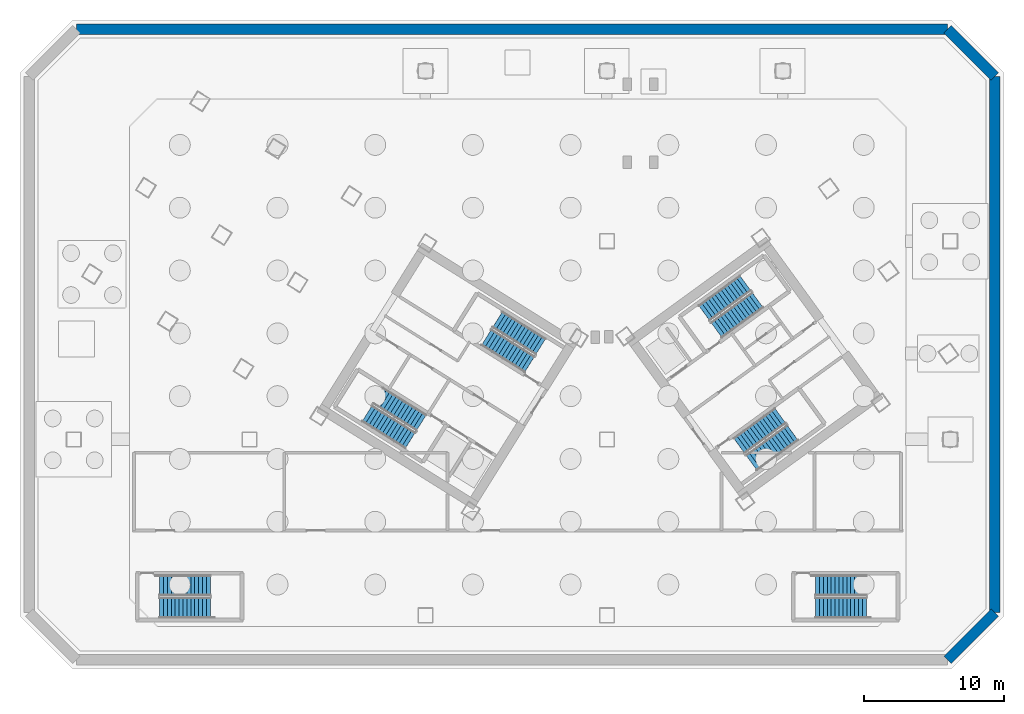
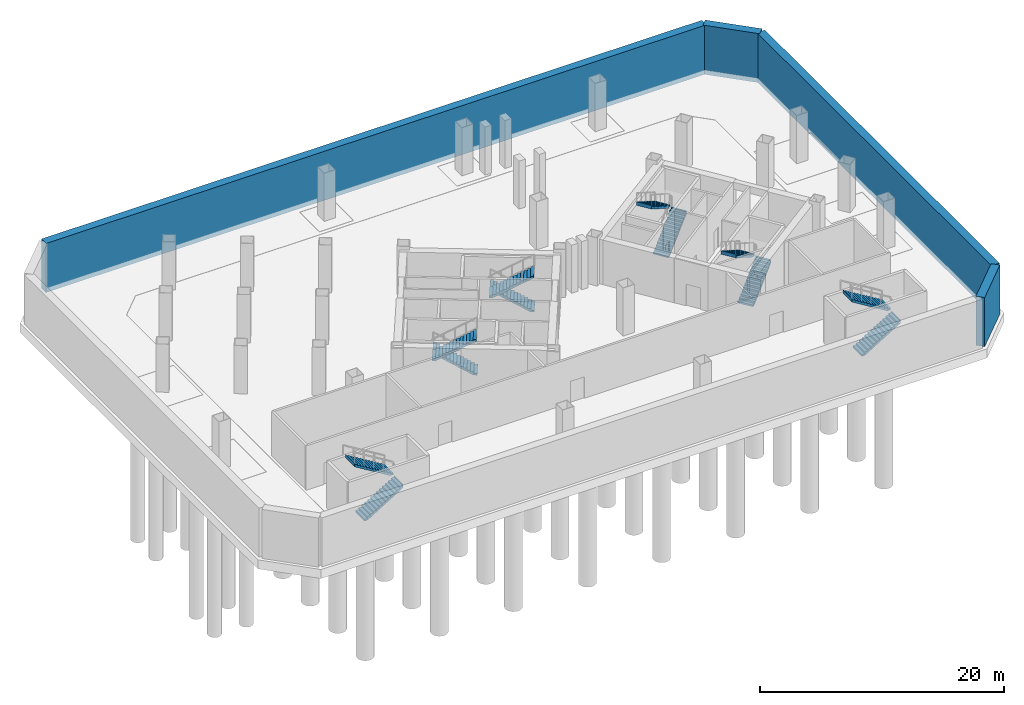
# One storey, part 7 of 11: 12 stair flights, 4 walls, 6 elements without a shape of their own.
"""IFC4 building model written with IfcOpenShell, lengths in metres."""

import ifcopenshell
import ifcopenshell.guid

model = None  # the IFC model being written
_history = None  # IfcOwnerHistory: only IFC2X3 demands one
_inside = {}  # id of a spatial element -> (the spatial element, [elements in it])
_under = {}  # id of a project, library or spatial element -> (it, [spatial elements below it])
_declared = {}  # id of a project -> (the project, [libraries it declares])
_typed = {}  # id of a type object -> (the type object, [elements of that type])
_made_of = {}  # id of a material, layer set ... -> (it, [elements and type objects made of it])


def new_model(schema):
    """Start an empty IFC model of exactly this schema.

    Asked for "IFC4X3", IfcOpenShell would pick the latest addendum, in which some entities
    have other attributes; the version numbers below select the first issue.
    IFC2X3 requires an IfcOwnerHistory on every rooted entity: one is made here for all.
    """
    global model, _history
    if schema == "IFC4X3":
        model = ifcopenshell.file(schema_version=(4, 3, 0, 0))
    else:
        model = ifcopenshell.file(schema=schema)
    _inside.clear()
    _under.clear()
    _declared.clear()
    _typed.clear()
    _made_of.clear()
    _history = None
    if model.schema == "IFC2X3":
        org = make("IfcOrganization", Name="unknown")
        user = make(
            "IfcPersonAndOrganization",
            ThePerson=make("IfcPerson", FamilyName="unknown"),
            TheOrganization=org,
        )
        app = make(
            "IfcApplication",
            ApplicationDeveloper=org,
            Version="unknown",
            ApplicationFullName="unknown",
            ApplicationIdentifier="unknown",
        )
        _history = make(
            "IfcOwnerHistory",
            OwningUser=user,
            OwningApplication=app,
            ChangeAction="ADDED",
            CreationDate=0,
        )
    return model


def make(cls, **values):
    """One entity of the class cls with the attributes given. An attribute that is None is left unset."""
    return model.create_entity(
        cls, **{name: value for name, value in values.items() if value is not None}
    )


def rooted(cls, **values):
    """An entity with a GlobalId (a new one), such as an element, a storey or a relation."""
    return make(cls, GlobalId=ifcopenshell.guid.new(), OwnerHistory=_history, **values)


def si_unit(unit_type, name, prefix=None):
    """IfcSIUnit, for example si_unit("LENGTHUNIT", "METRE", prefix="MILLI")."""
    return make("IfcSIUnit", UnitType=unit_type, Prefix=prefix, Name=name)


def assignment(units):
    """IfcUnitAssignment: the units of a project."""
    return None if units is None else make("IfcUnitAssignment", Units=units)


def point(xyz):
    """IfcCartesianPoint."""
    return None if xyz is None else make("IfcCartesianPoint", Coordinates=xyz)


def direction(xyz):
    """IfcDirection."""
    return None if xyz is None else make("IfcDirection", DirectionRatios=xyz)


def frame(location, z_axis=None, x_axis=None):
    """IfcAxis2Placement3D, a coordinate frame: its origin and axes. An axis left out is left unset."""
    return make(
        "IfcAxis2Placement3D",
        Location=point(location),
        Axis=direction(z_axis),
        RefDirection=direction(x_axis),
    )


def frame_2d(location, x_axis=None):
    """IfcAxis2Placement2D, a coordinate frame in the plane: its origin and x axis."""
    return make(
        "IfcAxis2Placement2D", Location=point(location), RefDirection=direction(x_axis)
    )


def origin():
    """The frame at (0, 0, 0) with its axes left unset."""
    return frame((0.0, 0.0, 0.0))


def place(relative_to, where):
    """IfcLocalPlacement: puts the frame where relative to a parent placement (None: the world)."""
    return make(
        "IfcLocalPlacement", PlacementRelTo=relative_to, RelativePlacement=where
    )


def context(
    kind, dimensions, precision=None, world=None, true_north=None, identifier=None
):
    """IfcGeometricRepresentationContext, for example the 3D "Model" context."""
    return make(
        "IfcGeometricRepresentationContext",
        ContextIdentifier=identifier,
        ContextType=kind,
        CoordinateSpaceDimension=dimensions,
        Precision=precision,
        WorldCoordinateSystem=world,
        TrueNorth=true_north,
    )


def subcontext(parent, identifier, kind, view, scale=None):
    """IfcGeometricRepresentationSubContext, for example "Body" below "Model"."""
    return make(
        "IfcGeometricRepresentationSubContext",
        ContextIdentifier=identifier,
        ContextType=kind,
        ParentContext=parent,
        TargetScale=scale,
        TargetView=view,
    )


def project(units=None, contexts=None):
    """IfcProject with its units and contexts."""
    return rooted(
        "IfcProject",
        Name="project",
        RepresentationContexts=contexts,
        UnitsInContext=assignment(units),
    )


def spatial(cls, under=None, at=None, **own):
    """A site, building, storey or space (cls), placed at a placement, below another one or the project."""
    s = rooted(cls, ObjectPlacement=at, **own)
    if under is not None:
        _under.setdefault(under.id(), (under, []))[1].append(s)
    return s


def polyline(points):
    """IfcPolyline through the points."""
    return make("IfcPolyline", Points=[point(p) for p in points])


def profile(cls, at=None, kind="AREA", **sizes):
    """A parametric profile (cls). Its sizes go by their IFC names, for example OverallWidth=200.0."""
    return make(cls, ProfileType=kind, Position=at, **sizes)


def rectangle(**sizes):
    """IfcRectangleProfileDef."""
    return profile("IfcRectangleProfileDef", **sizes)


def outline(outer, holes=None, kind="AREA"):
    """IfcArbitraryClosedProfileDef: a profile drawn as a closed curve; with holes, ...WithVoids."""
    if holes is None:
        return make("IfcArbitraryClosedProfileDef", ProfileType=kind, OuterCurve=outer)
    return make(
        "IfcArbitraryProfileDefWithVoids",
        ProfileType=kind,
        OuterCurve=outer,
        InnerCurves=holes,
    )


def extrude(swept, where, along, depth):
    """IfcExtrudedAreaSolid: the profile swept, set in the frame where, extruded along a direction by depth."""
    return make(
        "IfcExtrudedAreaSolid",
        SweptArea=swept,
        Position=where,
        ExtrudedDirection=direction(along),
        Depth=depth,
    )


def shape(context_of_items, identifier, shape_type, items):
    """IfcShapeRepresentation: the items that make up one representation, for example the "Body"."""
    return make(
        "IfcShapeRepresentation",
        ContextOfItems=context_of_items,
        RepresentationIdentifier=identifier,
        RepresentationType=shape_type,
        Items=items,
    )


def source(mapping_origin, context_of_items, identifier, shape_type, items):
    """IfcRepresentationMap: a shape defined once, which mapped items show again and again."""
    return make(
        "IfcRepresentationMap",
        MappingOrigin=mapping_origin,
        MappedRepresentation=shape(context_of_items, identifier, shape_type, items),
    )


def transform(
    local_origin,
    x_axis=None,
    y_axis=None,
    z_axis=None,
    scale=None,
    scale2=None,
    scale3=None,
    uniform=True,
):
    """IfcCartesianTransformationOperator3D, or its non-uniform kind. x_axis, y_axis, z_axis: its Axis1, 2, 3."""
    if uniform:
        return make(
            "IfcCartesianTransformationOperator3D",
            Axis1=direction(x_axis),
            Axis2=direction(y_axis),
            LocalOrigin=point(local_origin),
            Scale=scale,
            Axis3=direction(z_axis),
        )
    return make(
        "IfcCartesianTransformationOperator3DnonUniform",
        Axis1=direction(x_axis),
        Axis2=direction(y_axis),
        LocalOrigin=point(local_origin),
        Scale=scale,
        Axis3=direction(z_axis),
        Scale2=scale2,
        Scale3=scale3,
    )


def mapped(mapping_source, mapping_target):
    """IfcMappedItem: shows the shape of a source again, moved by a transform."""
    return make(
        "IfcMappedItem", MappingSource=mapping_source, MappingTarget=mapping_target
    )


def material(Name=None, Category=None):
    """IfcMaterial."""
    return make("IfcMaterial", Name=Name, Category=Category)


def layer(
    of_material, thickness, ventilated=None, Name=None, Category=None, Priority=None
):
    """IfcMaterialLayer: one layer of a wall or slab, of a material (None: an air gap)."""
    return make(
        "IfcMaterialLayer",
        Material=of_material,
        LayerThickness=thickness,
        IsVentilated=ventilated,
        Name=Name,
        Category=Category,
        Priority=Priority,
    )


def layer_set(layers, Name=None):
    """IfcMaterialLayerSet."""
    return make("IfcMaterialLayerSet", MaterialLayers=layers, LayerSetName=Name)


def made_of(thing, what):
    """Note that an element or type object is made of a material, layer set ...; save() writes the relation."""
    if what is not None:
        _made_of.setdefault(what.id(), (what, []))[1].append(thing)
    return thing


def type_object(cls, material=None, **own):
    """A type object (cls), such as IfcWallType, which elements share."""
    return made_of(rooted(cls, **own), material)


def element(
    cls,
    number,
    at=None,
    inside=None,
    cuts=None,
    type_object=None,
    material=None,
    context=None,
    identifier="Body",
    shape_type=None,
    held_by="IfcProductDefinitionShape",
    body=None,
    shapes=None,
    **own,
):
    """One element of the class cls, such as IfcWall. Its Tag is "e" and its number.

    at: its placement. inside: the storey or other place that contains it. cuts: it is an
    opening in that element (IfcRelVoidsElement). A single representation is given by context,
    identifier, shape_type and body (its items); several are given by shapes. held_by: the class
    of the entity that holds the representations. save() writes the other relations.
    """
    e = rooted(cls, Tag="e%d" % number, ObjectPlacement=at, **own)
    if body is not None:
        shapes = [shape(context, identifier, shape_type, body)]
    if shapes is not None:
        e.Representation = make(held_by, Representations=shapes)
    if inside is not None:
        _inside.setdefault(inside.id(), (inside, []))[1].append(e)
    if cuts is not None:
        rooted(
            "IfcRelVoidsElement", RelatingBuildingElement=cuts, RelatedOpeningElement=e
        )
    if type_object is not None:
        _typed.setdefault(type_object.id(), (type_object, []))[1].append(e)
    return made_of(e, material)


def aggregate(whole, parts):
    """IfcRelAggregates: a whole, such as a stair, and the parts it consists of."""
    return rooted("IfcRelAggregates", RelatingObject=whole, RelatedObjects=parts)


def save(model, path):
    """Write the relations noted so far, then the file.

    IfcRelAggregates (storeys below a building ...), IfcRelContainedInSpatialStructure (elements
    in a storey), IfcRelDefinesByType, IfcRelAssociatesMaterial and IfcRelDeclares: one each for
    every whole, place, type object, material and project.
    """
    for whole, parts in _under.values():
        aggregate(whole, parts)
    for where, things in _inside.values():
        rooted(
            "IfcRelContainedInSpatialStructure",
            RelatedElements=things,
            RelatingStructure=where,
        )
    for kind, things in _typed.values():
        rooted("IfcRelDefinesByType", RelatedObjects=things, RelatingType=kind)
    for what, things in _made_of.values():
        rooted("IfcRelAssociatesMaterial", RelatedObjects=things, RelatingMaterial=what)
    for by, libraries in _declared.values():
        rooted("IfcRelDeclares", RelatingContext=by, RelatedDefinitions=libraries)
    model.write(path)


model = new_model("IFC4")

# Units and contexts
model_context = context("Model", 3, precision=1e-05, world=origin(), true_north=direction((0.0, 1.0)))
body_context = subcontext(model_context, "Body", "Model", "MODEL_VIEW")
ifc_project = project(units=[si_unit("LENGTHUNIT", "METRE"), si_unit("AREAUNIT", "SQUARE_METRE"), si_unit("VOLUMEUNIT", "CUBIC_METRE"), si_unit("PLANEANGLEUNIT", "RADIAN"), si_unit("MASSUNIT", "GRAM", prefix="KILO")], contexts=[model_context])

# Site, building, storey
site_placement = place(None, origin())
site = spatial("IfcSite", under=ifc_project, at=site_placement, CompositionType="ELEMENT")
building_placement = place(site_placement, origin())
building = spatial("IfcBuilding", under=site, at=building_placement, Name="Tlacorven Tower", CompositionType="ELEMENT")
storey_placement = place(building_placement, frame((0.0, 0.0, -9.60009765625)))
storey = spatial("IfcBuildingStorey", under=building, at=storey_placement, Name="B2", CompositionType="ELEMENT", Elevation=-9.60009765625)

# Walls
ifc_material_1 = material(Name="Concrete C50/60", Category="concrete")
ifc_layer = layer(ifc_material_1, 0.75)
ifc_layer_set = layer_set([ifc_layer], Name="Concrete C50/60")
wall_type = type_object("IfcWallType", Name="WL-RET-750", PredefinedType="USERDEFINED", material=ifc_layer_set)
wall_1_placement = place(storey_placement, frame((67.199951171875, 1.39990234375, -0.449951171875), z_axis=(0.0, 0.0, 1.0), x_axis=(0.707106781187, 0.707106781187, 0.0)))
element("IfcWall", 1, at=wall_1_placement, inside=storey, type_object=wall_type, Name="B2 Diaphragm Retaining Wall 2", ObjectType="RETAINING WALL", PredefinedType="USERDEFINED", context=body_context, shape_type="SweptSolid", body=[
    extrude(rectangle(XDim=4.80859375, YDim=0.75, at=frame_2d((2.404296875, 0.0))), origin(), (0.0, 0.0, 1.0), 4.900146484375),
])
wall_2_placement = place(storey_placement, frame((70.60009765625, 4.800048828125, -0.449951171875), z_axis=(0.0, 0.0, 1.0), x_axis=(0.0, 1.0, 0.0)))
element("IfcWall", 2, at=wall_2_placement, inside=storey, type_object=wall_type, Name="B2 Diaphragm Retaining Wall 3", ObjectType="RETAINING WALL", PredefinedType="USERDEFINED", context=body_context, shape_type="SweptSolid", body=[
    extrude(rectangle(XDim=38.39990234375, YDim=0.75, at=frame_2d((19.199951171875, 0.0))), origin(), (0.0, 0.0, 1.0), 4.900146484375),
])
wall_3_placement = place(storey_placement, frame((70.60009765625, 43.199951171875, -0.449951171875), z_axis=(0.0, 0.0, 1.0), x_axis=(-0.707106781187, 0.707106781187, 0.0)))
element("IfcWall", 3, at=wall_3_placement, inside=storey, type_object=wall_type, Name="B2 Diaphragm Retaining Wall 4", ObjectType="RETAINING WALL", PredefinedType="USERDEFINED", context=body_context, shape_type="SweptSolid", body=[
    extrude(rectangle(XDim=4.80859375, YDim=0.75, at=frame_2d((2.404296875, 0.0))), origin(), (0.0, 0.0, 1.0), 4.900146484375),
])
wall_4_placement = place(storey_placement, frame((67.199951171875, 46.60009765625, -0.449951171875), z_axis=(0.0, 0.0, 1.0), x_axis=(-1.0, 0.0, 0.0)))
element("IfcWall", 4, at=wall_4_placement, inside=storey, type_object=wall_type, Name="B2 Diaphragm Retaining Wall 5", ObjectType="RETAINING WALL", PredefinedType="USERDEFINED", context=body_context, shape_type="SweptSolid", body=[
    extrude(rectangle(XDim=62.39990234375, YDim=0.75, at=frame_2d((31.199951171875, 0.0))), origin(), (0.0, 0.0, 1.0), 4.900146484375),
])

# Stair, stair flights
ifc_material_2 = material(Name="Concrete C40/50", Category="concrete")
stair_type_1 = type_object("IfcStairType", Name="ST-CORE-DLG", PredefinedType="HALF_TURN_STAIR", material=ifc_material_2)
stair_1_placement = place(storey_placement, origin())
stair_1 = element("IfcStair", 5, at=stair_1_placement, inside=storey, type_object=stair_type_1, Name="B2 Protected Exit Stair West 1", PredefinedType="HALF_TURN_STAIR")
stair_flight_type_1 = type_object("IfcStairFlightType", Name="SFL-RC-1380", PredefinedType="STRAIGHT", material=ifc_material_2)
shared_shape_1 = source(origin(), body_context, "Body", "SweptSolid", [
    extrude(outline(polyline([(-0.0029296875, -0.0029296875), (-0.0029296875, 0.17138671875), (0.280029296875, 0.17138671875), (0.280029296875, 0.3427734375), (0.56005859375, 0.3427734375), (0.56005859375, 0.514404296875), (0.840087890625, 0.514404296875), (0.840087890625, 0.685791015625), (1.1201171875, 0.685791015625), (1.1201171875, 0.857177734375), (1.39990234375, 0.857177734375), (1.39990234375, 1.028564453125), (1.679931640625, 1.028564453125), (1.679931640625, 1.199951171875), (1.9599609375, 1.199951171875), (1.9599609375, 1.371337890625), (2.239990234375, 1.371337890625), (2.239990234375, 1.54296875), (2.52001953125, 1.54296875), (2.52001953125, 1.71435546875), (2.800048828125, 1.71435546875), (2.800048828125, 1.8857421875), (3.080078125, 1.8857421875), (3.080078125, 2.05712890625), (3.360107421875, 2.05712890625), (3.360107421875, 2.228515625), (3.639892578125, 2.228515625), (3.639892578125, 2.39990234375), (3.64306640625, 2.39990234375), (3.64306640625, 2.041015625), (3.639892578125, 2.041015625), (0.30615234375, 0.0), (0.30615234375, -0.0029296875), (-0.0029296875, -0.0029296875)])), frame((0.0, 0.68994140625, 0.0), z_axis=(0.0, -1.0, 0.0), x_axis=(1.0, 0.0, 0.0)), (0.0, 0.0, 1.0), 1.3798828125),
])
stair_flight_1_placement = place(storey_placement, frame((29.499755859375, 18.39453125, 0.0), z_axis=(0.0, 0.0, 1.0), x_axis=(-0.848048096156, 0.529919264233, 0.0)))
stair_flight_1 = element("IfcStairFlight", 6, at=stair_flight_1_placement, type_object=stair_flight_type_1, Name="ST-W1 flight 1", NumberOfRisers=14, NumberOfTreads=13, PredefinedType="STRAIGHT", RiserHeight=0.171428571, TreadLength=0.28, context=body_context, shape_type="MappedRepresentation", body=[
    mapped(shared_shape_1, transform((0.0, 0.0, 0.0), scale=1.0)),
])
stair_flight_2_placement = place(storey_placement, frame((25.6181640625, 19.051513671875, 2.400146484375), z_axis=(0.0, 0.0, 1.0), x_axis=(0.848048096156, -0.529919264233, 0.0)))
stair_flight_2 = element("IfcStairFlight", 7, at=stair_flight_2_placement, type_object=stair_flight_type_1, Name="ST-W1 flight 2", NumberOfRisers=14, NumberOfTreads=13, PredefinedType="STRAIGHT", RiserHeight=0.171428571, TreadLength=0.28, context=body_context, shape_type="MappedRepresentation", body=[
    mapped(shared_shape_1, transform((0.0, 0.0, 0.0), scale=1.0)),
])
aggregate(stair_1, [stair_flight_1, stair_flight_2])

stair_2_placement = place(storey_placement, origin())
stair_2 = element("IfcStair", 8, at=stair_2_placement, inside=storey, type_object=stair_type_1, Name="B2 Protected Exit Stair West 2", PredefinedType="HALF_TURN_STAIR")
stair_flight_3_placement = place(storey_placement, frame((38.051513671875, 23.852294921875, 0.0), z_axis=(0.0, 0.0, 1.0), x_axis=(-0.848048096156, 0.529919264233, 0.0)))
stair_flight_3 = element("IfcStairFlight", 9, at=stair_flight_3_placement, type_object=stair_flight_type_1, Name="ST-W2 flight 1", NumberOfRisers=14, NumberOfTreads=13, PredefinedType="STRAIGHT", RiserHeight=0.171428571, TreadLength=0.28, context=body_context, shape_type="MappedRepresentation", body=[
    mapped(shared_shape_1, transform((0.0, 0.0, 0.0), scale=1.0)),
])
stair_flight_4_placement = place(storey_placement, frame((34.169677734375, 24.509033203125, 2.400146484375), z_axis=(0.0, 0.0, 1.0), x_axis=(0.848048096156, -0.529919264233, 0.0)))
stair_flight_4 = element("IfcStairFlight", 10, at=stair_flight_4_placement, type_object=stair_flight_type_1, Name="ST-W2 flight 2", NumberOfRisers=14, NumberOfTreads=13, PredefinedType="STRAIGHT", RiserHeight=0.171428571, TreadLength=0.28, context=body_context, shape_type="MappedRepresentation", body=[
    mapped(shared_shape_1, transform((0.0, 0.0, 0.0), scale=1.0)),
])
aggregate(stair_2, [stair_flight_3, stair_flight_4])

stair_3_placement = place(storey_placement, origin())
stair_3 = element("IfcStair", 11, at=stair_3_placement, inside=storey, type_object=stair_type_1, Name="B2 Protected Exit Stair East 1", PredefinedType="HALF_TURN_STAIR")
stair_flight_5_placement = place(storey_placement, frame((50.6533203125, 25.0400390625, 0.0), z_axis=(0.0, 0.0, 1.0), x_axis=(0.809016994375, 0.587785252292, 0.0)))
stair_flight_5 = element("IfcStairFlight", 12, at=stair_flight_5_placement, type_object=stair_flight_type_1, Name="ST-E1 flight 1", NumberOfRisers=14, NumberOfTreads=13, PredefinedType="STRAIGHT", RiserHeight=0.171428571, TreadLength=0.28, context=body_context, shape_type="MappedRepresentation", body=[
    mapped(shared_shape_1, transform((0.0, 0.0, 0.0), scale=1.0)),
])
stair_flight_6_placement = place(storey_placement, frame((52.716552734375, 28.39306640625, 2.400146484375), z_axis=(0.0, 0.0, 1.0), x_axis=(-0.809016994375, -0.587785252292, 0.0)))
stair_flight_6 = element("IfcStairFlight", 13, at=stair_flight_6_placement, type_object=stair_flight_type_1, Name="ST-E1 flight 2", NumberOfRisers=14, NumberOfTreads=13, PredefinedType="STRAIGHT", RiserHeight=0.171428571, TreadLength=0.28, context=body_context, shape_type="MappedRepresentation", body=[
    mapped(shared_shape_1, transform((0.0, 0.0, 0.0), scale=1.0)),
])
aggregate(stair_3, [stair_flight_5, stair_flight_6])

stair_4_placement = place(storey_placement, origin())
stair_4 = element("IfcStair", 14, at=stair_4_placement, inside=storey, type_object=stair_type_1, Name="B2 Protected Exit Stair East 2", PredefinedType="HALF_TURN_STAIR")
stair_flight_7_placement = place(storey_placement, frame((53.157470703125, 15.536865234375, 0.0), z_axis=(0.0, 0.0, 1.0), x_axis=(0.809016994375, 0.587785252292, 0.0)))
stair_flight_7 = element("IfcStairFlight", 15, at=stair_flight_7_placement, type_object=stair_flight_type_1, Name="ST-E2 flight 1", NumberOfRisers=14, NumberOfTreads=13, PredefinedType="STRAIGHT", RiserHeight=0.171428571, TreadLength=0.28, context=body_context, shape_type="MappedRepresentation", body=[
    mapped(shared_shape_1, transform((0.0, 0.0, 0.0), scale=1.0)),
])
stair_flight_8_placement = place(storey_placement, frame((55.220458984375, 18.889892578125, 2.400146484375), z_axis=(0.0, 0.0, 1.0), x_axis=(-0.809016994375, -0.587785252292, 0.0)))
stair_flight_8 = element("IfcStairFlight", 16, at=stair_flight_8_placement, type_object=stair_flight_type_1, Name="ST-E2 flight 2", NumberOfRisers=14, NumberOfTreads=13, PredefinedType="STRAIGHT", RiserHeight=0.171428571, TreadLength=0.28, context=body_context, shape_type="MappedRepresentation", body=[
    mapped(shared_shape_1, transform((0.0, 0.0, 0.0), scale=1.0)),
])
aggregate(stair_4, [stair_flight_7, stair_flight_8])

stair_type_2 = type_object("IfcStairType", Name="ST-POD-DLG", PredefinedType="HALF_TURN_STAIR", material=ifc_material_2)
stair_5_placement = place(storey_placement, origin())
stair_5 = element("IfcStair", 17, at=stair_5_placement, inside=storey, type_object=stair_type_2, Name="B2 Podium Station Exit Stair 1", PredefinedType="HALF_TURN_STAIR")
stair_flight_type_2 = type_object("IfcStairFlightType", Name="SFL-RC-1480", PredefinedType="STRAIGHT", material=ifc_material_2)
shared_shape_2 = source(origin(), body_context, "Body", "SweptSolid", [
    extrude(outline(polyline([(-0.0029296875, -0.0029296875), (-0.0029296875, 0.17138671875), (0.280029296875, 0.17138671875), (0.280029296875, 0.3427734375), (0.56005859375, 0.3427734375), (0.56005859375, 0.514404296875), (0.840087890625, 0.514404296875), (0.840087890625, 0.685791015625), (1.1201171875, 0.685791015625), (1.1201171875, 0.857177734375), (1.39990234375, 0.857177734375), (1.39990234375, 1.028564453125), (1.679931640625, 1.028564453125), (1.679931640625, 1.199951171875), (1.9599609375, 1.199951171875), (1.9599609375, 1.371337890625), (2.239990234375, 1.371337890625), (2.239990234375, 1.54296875), (2.52001953125, 1.54296875), (2.52001953125, 1.71435546875), (2.800048828125, 1.71435546875), (2.800048828125, 1.8857421875), (3.080078125, 1.8857421875), (3.080078125, 2.05712890625), (3.360107421875, 2.05712890625), (3.360107421875, 2.228515625), (3.639892578125, 2.228515625), (3.639892578125, 2.39990234375), (3.64306640625, 2.39990234375), (3.64306640625, 2.041015625), (3.639892578125, 2.041015625), (0.30615234375, 0.0), (0.30615234375, -0.0029296875), (-0.0029296875, -0.0029296875)])), frame((0.0, 0.739990234375, 0.0), z_axis=(0.0, -1.0, 0.0), x_axis=(1.0, 0.0, 0.0)), (0.0, 0.0, 1.0), 1.47998046875),
])
stair_flight_9_placement = place(storey_placement, frame((10.75, 5.139892578125, 0.0), z_axis=(0.0, 0.0, 1.0), x_axis=(1.0, 0.0, 0.0)))
stair_flight_9 = element("IfcStairFlight", 18, at=stair_flight_9_placement, type_object=stair_flight_type_2, Name="ST-P1 flight 1", NumberOfRisers=14, NumberOfTreads=13, PredefinedType="STRAIGHT", RiserHeight=0.171428571, TreadLength=0.28, context=body_context, shape_type="MappedRepresentation", body=[
    mapped(shared_shape_2, transform((0.0, 0.0, 0.0), scale=1.0)),
])
stair_flight_10_placement = place(storey_placement, frame((14.389892578125, 6.739990234375, 2.400146484375), z_axis=(0.0, 0.0, 1.0), x_axis=(-1.0, 0.0, 0.0)))
stair_flight_10 = element("IfcStairFlight", 19, at=stair_flight_10_placement, type_object=stair_flight_type_2, Name="ST-P1 flight 2", NumberOfRisers=14, NumberOfTreads=13, PredefinedType="STRAIGHT", RiserHeight=0.171428571, TreadLength=0.28, context=body_context, shape_type="MappedRepresentation", body=[
    mapped(shared_shape_2, transform((0.0, 0.0, 0.0), scale=1.0)),
])
aggregate(stair_5, [stair_flight_9, stair_flight_10])

stair_6_placement = place(storey_placement, origin())
stair_6 = element("IfcStair", 20, at=stair_6_placement, inside=storey, type_object=stair_type_2, Name="B2 Podium Station Exit Stair 2", PredefinedType="HALF_TURN_STAIR")
stair_flight_11_placement = place(storey_placement, frame((57.75, 5.139892578125, 0.0), z_axis=(0.0, 0.0, 1.0), x_axis=(1.0, 0.0, 0.0)))
stair_flight_11 = element("IfcStairFlight", 21, at=stair_flight_11_placement, type_object=stair_flight_type_2, Name="ST-P2 flight 1", NumberOfRisers=14, NumberOfTreads=13, PredefinedType="STRAIGHT", RiserHeight=0.171428571, TreadLength=0.28, context=body_context, shape_type="MappedRepresentation", body=[
    mapped(shared_shape_2, transform((0.0, 0.0, 0.0), scale=1.0)),
])
stair_flight_12_placement = place(storey_placement, frame((61.389892578125, 6.739990234375, 2.400146484375), z_axis=(0.0, 0.0, 1.0), x_axis=(-1.0, 0.0, 0.0)))
stair_flight_12 = element("IfcStairFlight", 22, at=stair_flight_12_placement, type_object=stair_flight_type_2, Name="ST-P2 flight 2", NumberOfRisers=14, NumberOfTreads=13, PredefinedType="STRAIGHT", RiserHeight=0.171428571, TreadLength=0.28, context=body_context, shape_type="MappedRepresentation", body=[
    mapped(shared_shape_2, transform((0.0, 0.0, 0.0), scale=1.0)),
])
aggregate(stair_6, [stair_flight_11, stair_flight_12])

save(model, "model.ifc")
